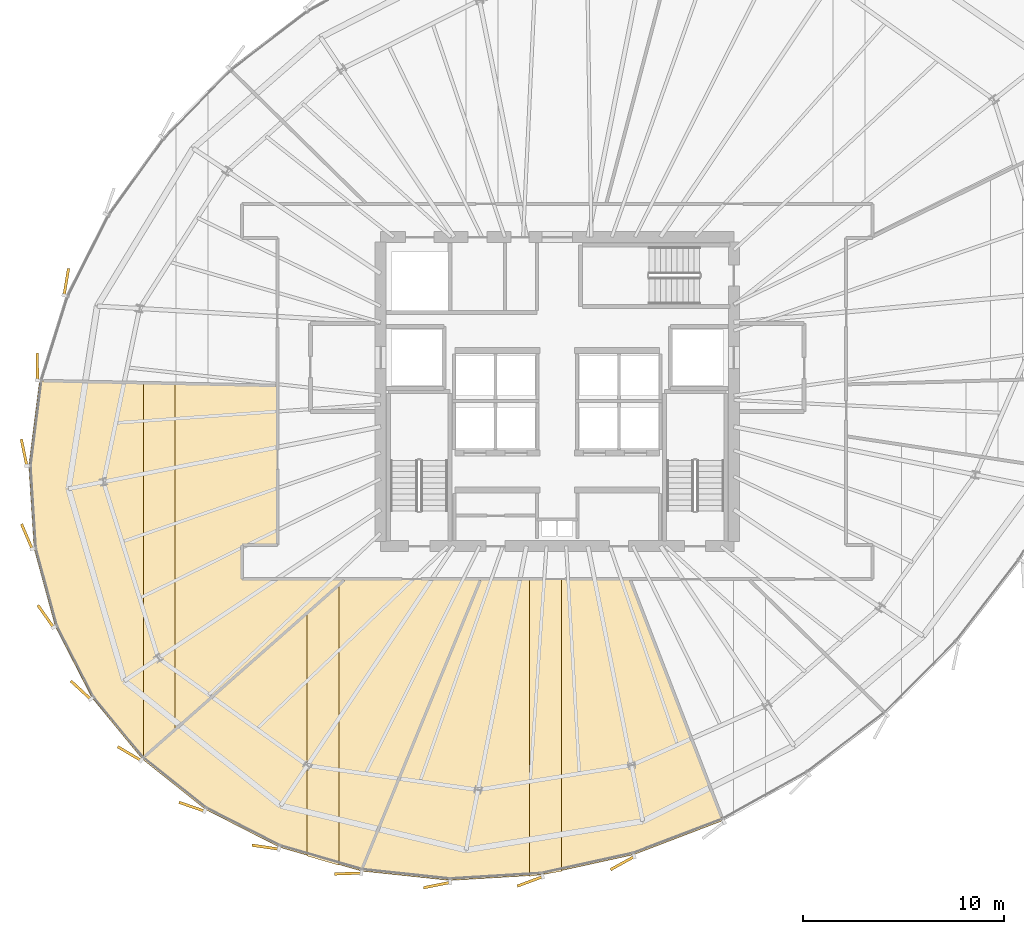
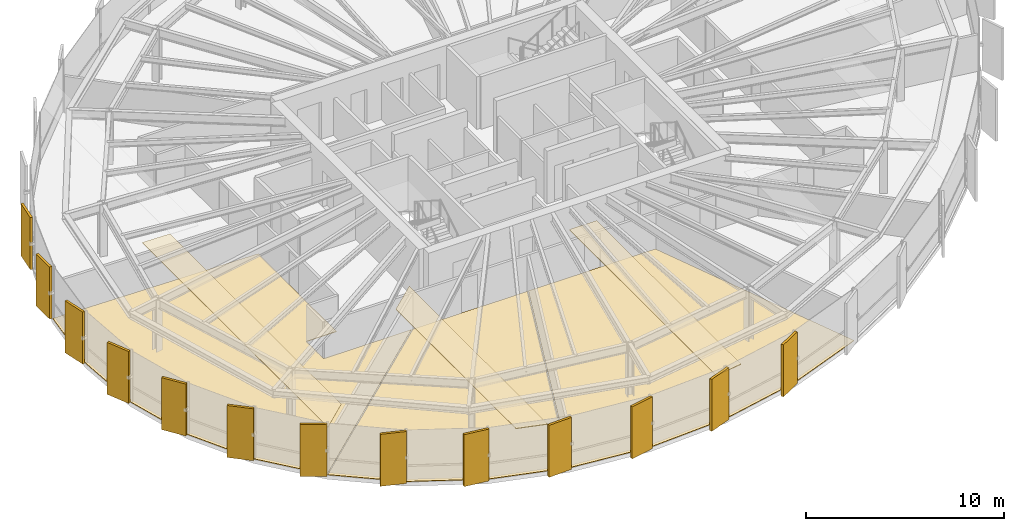
# One storey, part 32 of 35: 19 coverings.
"""IFC4 building model written with IfcOpenShell, lengths in metres."""

from ifc_helpers import new_model, si_unit, direction, frame, origin, origin_2d, place, context, subcontext, project, spatial, polyline, rectangle, outline, extrude, source, transform, mapped, material, layer, layer_set, type_object, element, save


model = new_model("IFC4")

# Units and contexts
model_context = context("Model", 3, precision=1e-05, world=origin(), true_north=direction((0.0, 1.0)))
body_context = subcontext(model_context, "Body", "Model", "MODEL_VIEW")
ifc_project = project(units=[si_unit("LENGTHUNIT", "METRE"), si_unit("AREAUNIT", "SQUARE_METRE"), si_unit("VOLUMEUNIT", "CUBIC_METRE"), si_unit("PLANEANGLEUNIT", "RADIAN"), si_unit("MASSUNIT", "GRAM", prefix="KILO"), si_unit("THERMODYNAMICTEMPERATUREUNIT", "KELVIN")], contexts=[model_context])

# Site, building, storey
site_placement = place(None, origin())
site = spatial("IfcSite", under=ifc_project, at=site_placement, CompositionType="ELEMENT")
building_placement = place(site_placement, origin())
building = spatial("IfcBuilding", under=site, at=building_placement, Name="Kethvar Cultural Tower", CompositionType="ELEMENT")
storey_placement = place(building_placement, frame((0.0, 0.0, 167.85009765625)))
storey = spatial("IfcBuildingStorey", under=building, at=storey_placement, Name="L43", CompositionType="ELEMENT", Elevation=167.85009765625)

# Coverings
ifc_material_1 = material(Name="Acoustic Mineral Fibre Ceiling")
ifc_layer_1 = layer(ifc_material_1, 0.0400390625, Name="Acoustic Mineral Fibre Ceiling")
ifc_layer_set_1 = layer_set([ifc_layer_1], Name="Acoustic Mineral Fibre Ceiling (40 mm)")
covering_type_1 = type_object("IfcCoveringType", Name="CV-ACOUSTIC-CEIL", PredefinedType="CEILING", material=ifc_layer_set_1)
covering_1_placement = place(storey_placement, frame((0.0, 0.0, 2.889892578125)))
element("IfcCovering", 1, at=covering_1_placement, inside=storey, type_object=covering_type_1, Name="L43 Room 01 Acoustic Ceiling Panel", PredefinedType="CEILING", context=body_context, shape_type="SweptSolid", body=[
    extrude(outline(polyline([(35.91943359375, 18.19189453125), (35.91943359375, 4.19580078125), (34.329345703125, 4.65771484375), (34.329345703125, 16.783935546875), (35.91943359375, 18.19189453125)])), origin(), (0.0, 0.0, 1.0), 0.0400390625),
])
covering_2_placement = place(storey_placement, frame((0.0, 0.0, 2.889892578125)))
element("IfcCovering", 2, at=covering_2_placement, inside=storey, type_object=covering_type_1, Name="L43 Room 02 Acoustic Ceiling Panel", PredefinedType="CEILING", context=body_context, shape_type="SweptSolid", body=[
    extrude(outline(polyline([(47.001220703125, 3.89111328125), (45.411376953125, 3.639404296875), (45.411376953125, 18.469970703125), (47.001220703125, 18.469970703125), (47.001220703125, 3.89111328125)])), origin(), (0.0, 0.0, 1.0), 0.0400390625),
])
covering_3_placement = place(storey_placement, frame((0.0, 0.0, 2.889892578125)))
element("IfcCovering", 3, at=covering_3_placement, inside=storey, type_object=covering_type_1, Name="L43 Room 10 Acoustic Ceiling Panel", PredefinedType="CEILING", context=body_context, shape_type="SweptSolid", body=[
    extrude(outline(polyline([(27.764404296875, 28.226318359375), (27.764404296875, 10.917236328125), (26.17431640625, 9.50927734375), (26.17431640625, 28.260498046875), (27.764404296875, 28.226318359375)])), origin(), (0.0, 0.0, 1.0), 0.0400390625),
])
ifc_material_2 = material(Name="Architectural Oak Timber", Category="wood")
ifc_layer_2 = layer(ifc_material_2, 0.02490234375, Name="Architectural Oak Timber", Category="wood")
ifc_layer_set_2 = layer_set([ifc_layer_2], Name="Architectural Oak Timber (25 mm)")
covering_type_2 = type_object("IfcCoveringType", Name="CV-OAK-FLOOR", PredefinedType="FLOORING", material=ifc_layer_set_2)
covering_4_placement = place(storey_placement, origin())
element("IfcCovering", 4, at=covering_4_placement, inside=storey, type_object=covering_type_2, Name="L43 Room 01 Floor Finish", PredefinedType="FLOORING", context=body_context, shape_type="SweptSolid", body=[
    extrude(outline(polyline([(32.954345703125, 5.0986328125), (29.27294921875, 6.97998046875), (26.141357421875, 9.47998046875), (36.24853515625, 18.429931640625), (42.958984375, 18.429931640625), (37.041015625, 3.91162109375), (32.954345703125, 5.0986328125)])), origin(), (0.0, 0.0, 1.0), 0.02490234375),
])
covering_5_placement = place(storey_placement, origin())
element("IfcCovering", 5, at=covering_5_placement, inside=storey, type_object=covering_type_2, Name="L43 Room 02 Floor Finish", PredefinedType="FLOORING", context=body_context, shape_type="SweptSolid", body=[
    extrude(outline(polyline([(50.601318359375, 4.72216796875), (46.01611328125, 3.7158203125), (41.455078125, 3.44140625), (37.081298828125, 3.904296875), (43.002197265625, 18.429931640625), (50.405517578125, 18.429931640625), (55.05322265625, 6.42333984375), (50.601318359375, 4.72216796875)])), origin(), (0.0, 0.0, 1.0), 0.02490234375),
])
covering_6_placement = place(storey_placement, origin())
element("IfcCovering", 6, at=covering_6_placement, inside=storey, type_object=covering_type_2, Name="L43 Room 10 Floor Finish", PredefinedType="FLOORING", context=body_context, shape_type="SweptSolid", body=[
    extrude(outline(polyline([(23.603759765625, 12.56298828125), (21.78759765625, 16.09521484375), (20.7314453125, 19.983154296875), (20.467041015625, 24.10888671875), (21.00048828125, 28.330810546875), (32.830078125, 28.078125), (32.830078125, 20.169921875), (31.0859375, 20.1640625), (31.080810546875, 18.444091796875), (36.188232421875, 18.429931640625), (26.112548828125, 9.5078125), (23.603759765625, 12.56298828125)])), origin(), (0.0, 0.0, 1.0), 0.02490234375),
])
ifc_material_3 = material(Name="Extruded Architectural Terracotta", Category="masonry")
ifc_layer_3 = layer(ifc_material_3, 0.135009765625, Name="Extruded Architectural Terracotta", Category="masonry")
ifc_layer_set_3 = layer_set([ifc_layer_3], Name="Extruded Architectural Terracotta (135 mm)")
covering_type_3 = type_object("IfcCoveringType", Name="Terracotta Facade Fin FIN-02", PredefinedType="CLADDING", material=ifc_layer_set_3)
shared_shape = source(origin(), body_context, "Body", "SweptSolid", [
    extrude(rectangle(XDim=1.35009765625, YDim=0.135009765625, at=origin_2d()), origin(), (0.0, 0.0, 1.0), 3.199951171875),
])
for number, where, z_axis, x_axis, name in (
    (7, (22.336669921875, 33.26611328125, 0.02001953125), (0.0, 0.0, 1.0), (0.162637165195, 0.986685944208, 0.0), "L43 Vertical Terracotta Fin 3.2"),
    (8, (20.89404296875, 29.0361328125, 0.02001953125), (0.0, 0.0, 1.0), (-0.013962180339, 0.999902524009, 0.0), "L43 Vertical Terracotta Fin 3.3"),
    (9, (20.230712890625, 24.765380859375, 0.02001953125), (0.0, 0.0, 1.0), (-0.202274547718, 0.979328855567, 0.0), "L43 Vertical Terracotta Fin 3.4"),
    (10, (20.368408203125, 20.579345703125, 0.02001953125), (0.0, 0.0, 1.0), (-0.393941909591, 0.919135339255, 0.0), "L43 Vertical Terracotta Fin 3.5"),
    (11, (21.30859375, 16.602783203125, 0.02001953125), (0.0, 0.0, 1.0), (-0.576574926079, 0.817044279471, 0.0), "L43 Vertical Terracotta Fin 3.6"),
    (12, (23.052978515625, 12.927978515625, 0.02001953125), (0.0, 0.0, 1.0), (-0.735978938766, 0.67700443255, 0.0), "L43 Vertical Terracotta Fin 4.1"),
    (13, (25.479248046875, 9.76025390625, 0.02001953125), (0.0, 0.0, 1.0), (-0.860742027004, 0.50904141575, 0.0), "L43 Vertical Terracotta Fin 4.2"),
    (14, (28.587890625, 7.1123046875, 0.02001953125), (0.0, 0.0, 1.0), (-0.945120113509, 0.326723080054, 0.0), "L43 Vertical Terracotta Fin 4.3"),
    (15, (32.256591796875, 5.099365234375, 0.02001953125), (0.0, 0.0, 1.0), (-0.989776230908, 0.142628933706, 0.0), "L43 Vertical Terracotta Fin 4.4"),
    (16, (36.36962890625, 3.78466796875, 0.02001953125), (0.0, 0.0, 1.0), (-0.999414947917, -0.034201781837, 0.0), "L43 Vertical Terracotta Fin 4.5"),
    (17, (40.797607421875, 3.20751953125, 0.02001953125), (0.0, 0.0, 1.0), (-0.980132944892, -0.198341650538, 0.0), "L43 Vertical Terracotta Fin 4.6"),
    (18, (45.44140625, 3.39111328125, 0.02001953125), (0.0, 0.0, 1.0), (-0.937403606985, -0.348244852958, 0.0), "L43 Vertical Terracotta Fin 5.1"),
    (19, (50.04443359375, 4.302001953125, 0.02001953125), (0.0, 0.0, 1.0), (-0.875380164978, -0.483435173278, 0.0), "L43 Vertical Terracotta Fin 5.2"),
):
    element("IfcCovering", number, at=place(storey_placement, frame(where, z_axis=z_axis, x_axis=x_axis)), inside=storey, type_object=covering_type_3, Name=name, PredefinedType="CLADDING", context=body_context, shape_type="MappedRepresentation", body=[
        mapped(shared_shape, transform((0.0, 0.0, 0.0), scale=1.0)),
    ])

save(model, "model.ifc")
